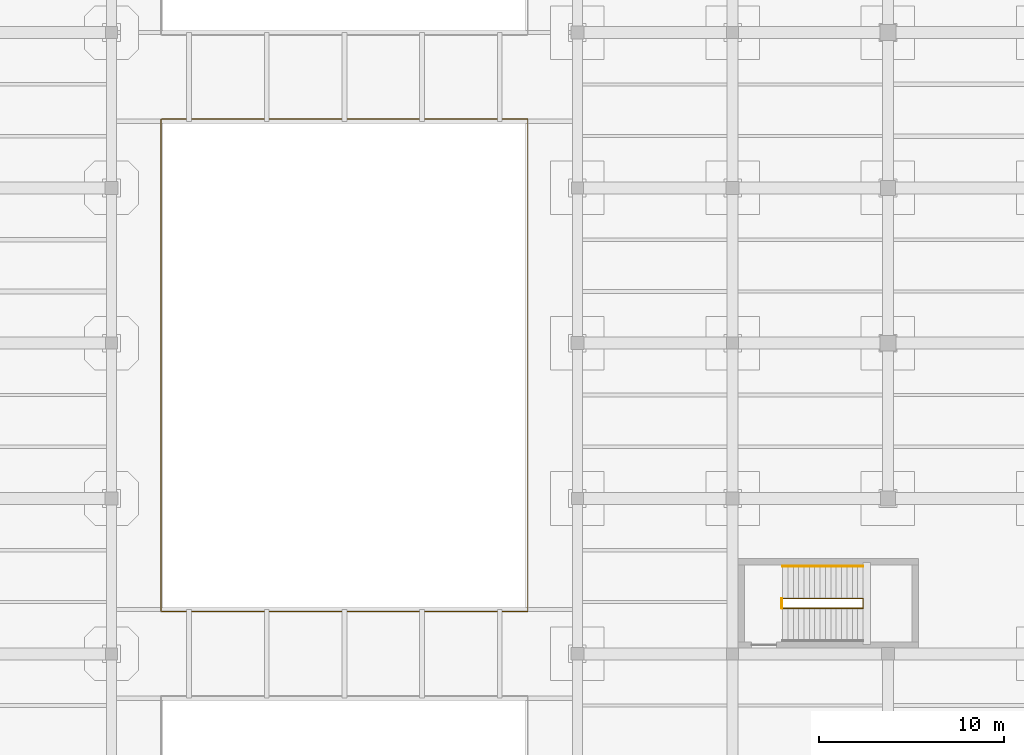
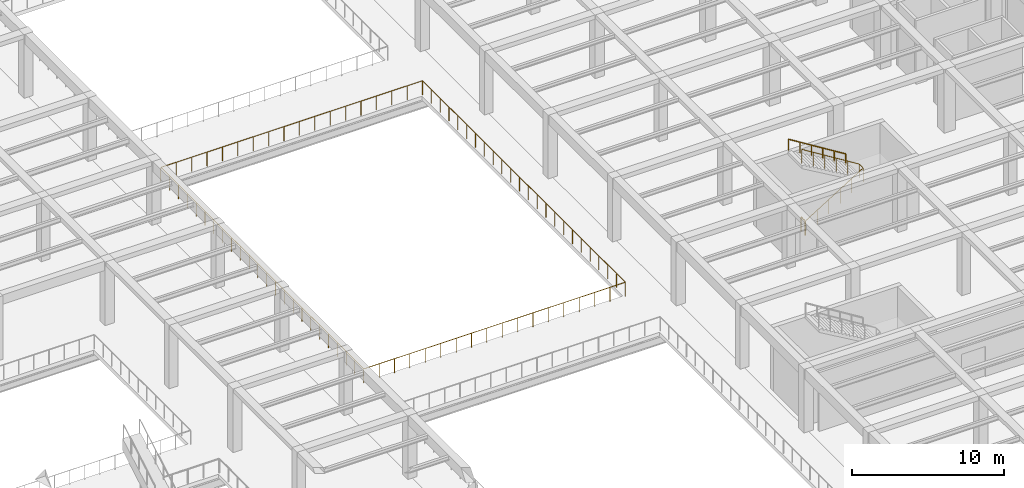
# One storey, part 91 of 96: 4 railings.
"""IFC4 building model written with IfcOpenShell, lengths in metres."""

from ifc_helpers import new_model, si_unit, direction, frame, origin, origin_2d, place, context, subcontext, project, spatial, circle, extrude, material, type_object, element, save


model = new_model("IFC4")

# Units and contexts
model_context = context("Model", 3, precision=1e-05, world=origin(), true_north=direction((0.0, 1.0)))
body_context = subcontext(model_context, "Body", "Model", "MODEL_VIEW")
ifc_project = project(units=[si_unit("LENGTHUNIT", "METRE"), si_unit("AREAUNIT", "SQUARE_METRE"), si_unit("VOLUMEUNIT", "CUBIC_METRE"), si_unit("PLANEANGLEUNIT", "RADIAN"), si_unit("MASSUNIT", "GRAM", prefix="KILO")], contexts=[model_context])

# Site, building, storey
site_placement = place(None, origin())
site = spatial("IfcSite", under=ifc_project, at=site_placement, CompositionType="ELEMENT")
building_placement = place(site_placement, origin())
building = spatial("IfcBuilding", under=site, at=building_placement, Name="Almacenes y Pasaje Nevantli", CompositionType="ELEMENT")
storey_placement = place(building_placement, frame((0.0, 0.0, 6.0)))
storey = spatial("IfcBuildingStorey", under=building, at=storey_placement, Name="L02", CompositionType="ELEMENT", Elevation=6.0)

# Railings
ifc_material_1 = material(Name="Brushed Stainless Steel and Tempered Safety Glass", Category="steel")
railing_type_1 = type_object("IfcRailingType", Name="RL-GUARD-1100", PredefinedType="BALUSTRADE", material=ifc_material_1)
railing_1_placement = place(storey_placement, frame((103.5, 61.260009765625, 0.0)))
element("IfcRailing", 1, at=railing_1_placement, inside=storey, type_object=railing_type_1, Name="L02 Stair ST-13 Inner Well Guard Balustrade", PredefinedType="BALUSTRADE", context=body_context, shape_type="SweptSolid", body=[
    extrude(circle(Radius=0.02392578125, at=origin_2d()), frame((0.025390625, 0.0, 1.1416015625), z_axis=(0.849649743971, 0.0, 0.527347430608), x_axis=(0.0, 1.0, 0.0)), (0.0, 0.0, 1.0), 5.059814453125),
    extrude(circle(Radius=0.02392578125, at=origin_2d()), frame((4.35009765625, 0.030029296875, 3.82568359375), z_axis=(0.0, 1.0, 0.0), x_axis=(-1.0, 0.0, 0.0)), (0.0, 0.0, 1.0), 0.469970703125),
    extrude(circle(Radius=0.02392578125, at=origin_2d()), frame((4.32470703125, 0.530029296875, 3.841552734375), z_axis=(-0.849649743971, 0.0, 0.527347430608), x_axis=(0.0, -1.0, 0.0)), (0.0, 0.0, 1.0), 5.059814453125),
    extrude(circle(Radius=0.02099609375, at=origin_2d()), origin(), (0.0, 0.0, 1.0), 1.096923828125),
    extrude(circle(Radius=0.02099609375, at=origin_2d()), frame((0.8701171875, 0.0, 0.5400390625)), (0.0, 0.0, 1.0), 1.096923828125),
    extrude(circle(Radius=0.02099609375, at=origin_2d()), frame((1.739990234375, 0.0, 1.080078125)), (0.0, 0.0, 1.0), 1.096923828125),
    extrude(circle(Radius=0.02099609375, at=origin_2d()), frame((2.610107421875, 0.0, 1.619873046875)), (0.0, 0.0, 1.0), 1.096923828125),
    extrude(circle(Radius=0.02099609375, at=origin_2d()), frame((3.47998046875, 0.0, 2.159912109375)), (0.0, 0.0, 1.0), 1.096923828125),
    extrude(circle(Radius=0.02099609375, at=origin_2d()), frame((4.35009765625, 0.0, 2.699951171875)), (0.0, 0.0, 1.0), 1.096923828125),
    extrude(circle(Radius=0.02099609375, at=origin_2d()), frame((4.35009765625, 0.530029296875, 2.699951171875)), (0.0, 0.0, 1.0), 1.096923828125),
    extrude(circle(Radius=0.02099609375, at=origin_2d()), frame((3.47998046875, 0.530029296875, 3.239990234375)), (0.0, 0.0, 1.0), 1.096923828125),
    extrude(circle(Radius=0.02099609375, at=origin_2d()), frame((2.610107421875, 0.530029296875, 3.780029296875)), (0.0, 0.0, 1.0), 1.096923828125),
    extrude(circle(Radius=0.02099609375, at=origin_2d()), frame((1.739990234375, 0.530029296875, 4.31982421875)), (0.0, 0.0, 1.0), 1.096923828125),
    extrude(circle(Radius=0.02099609375, at=origin_2d()), frame((0.8701171875, 0.530029296875, 4.85986328125)), (0.0, 0.0, 1.0), 1.096923828125),
    extrude(circle(Radius=0.02099609375, at=origin_2d()), frame((0.0, 0.530029296875, 5.39990234375)), (0.0, 0.0, 1.0), 1.096923828125),
])
railing_2_placement = place(storey_placement, frame((103.4599609375, 61.260009765625, 0.0)))
element("IfcRailing", 2, at=railing_2_placement, inside=storey, type_object=railing_type_1, Name="L02 Stair ST-13 Landing Well Slot Guard", PredefinedType="BALUSTRADE", context=body_context, shape_type="SweptSolid", body=[
    extrude(circle(Radius=0.02392578125, at=origin_2d()), frame((0.0, 0.030029296875, 1.1259765625), z_axis=(0.0, 1.0, 0.0), x_axis=(-1.0, 0.0, 0.0)), (0.0, 0.0, 1.0), 0.469970703125),
    extrude(circle(Radius=0.02099609375, at=origin_2d()), origin(), (0.0, 0.0, 1.0), 1.096923828125),
    extrude(circle(Radius=0.02099609375, at=origin_2d()), frame((0.0, 0.530029296875, 0.0)), (0.0, 0.0, 1.0), 1.096923828125),
])
railing_3_placement = place(storey_placement, frame((69.8798828125, 61.080078125, 0.0)))
element("IfcRailing", 3, at=railing_3_placement, inside=storey, type_object=railing_type_1, Name="L02 Arcade Galleria Void VOID-ARC-3 Guard Balustrade", PredefinedType="BALUSTRADE", context=body_context, shape_type="SweptSolid", body=[
    extrude(circle(Radius=0.02392578125, at=origin_2d()), frame((0.030029296875, 0.0, 1.1259765625), z_axis=(1.0, 0.0, 0.0), x_axis=(0.0, 1.0, 0.0)), (0.0, 0.0, 1.0), 19.780029296875),
    extrude(circle(Radius=0.02392578125, at=origin_2d()), frame((19.840087890625, 0.030029296875, 1.1259765625), z_axis=(0.0, 1.0, 0.0), x_axis=(-1.0, 0.0, 0.0)), (0.0, 0.0, 1.0), 26.579833984375),
    extrude(circle(Radius=0.02392578125, at=origin_2d()), frame((19.81005859375, 26.639892578125, 1.1259765625), z_axis=(-1.0, 0.0, 0.0), x_axis=(0.0, -1.0, 0.0)), (0.0, 0.0, 1.0), 19.780029296875),
    extrude(circle(Radius=0.02392578125, at=origin_2d()), frame((0.0, 26.60986328125, 1.1259765625), z_axis=(0.0, -1.0, 0.0), x_axis=(1.0, 0.0, 0.0)), (0.0, 0.0, 1.0), 26.579833984375),
    extrude(circle(Radius=0.02099609375, at=origin_2d()), origin(), (0.0, 0.0, 1.0), 1.096923828125),
    extrude(circle(Radius=0.02099609375, at=origin_2d()), frame((1.1669921875, 0.0, 0.0)), (0.0, 0.0, 1.0), 1.096923828125),
    extrude(circle(Radius=0.02099609375, at=origin_2d()), frame((2.334228515625, 0.0, 0.0)), (0.0, 0.0, 1.0), 1.096923828125),
    extrude(circle(Radius=0.02099609375, at=origin_2d()), frame((3.501220703125, 0.0, 0.0)), (0.0, 0.0, 1.0), 1.096923828125),
    extrude(circle(Radius=0.02099609375, at=origin_2d()), frame((4.668212890625, 0.0, 0.0)), (0.0, 0.0, 1.0), 1.096923828125),
    extrude(circle(Radius=0.02099609375, at=origin_2d()), frame((5.835205078125, 0.0, 0.0)), (0.0, 0.0, 1.0), 1.096923828125),
    extrude(circle(Radius=0.02099609375, at=origin_2d()), frame((7.00244140625, 0.0, 0.0)), (0.0, 0.0, 1.0), 1.096923828125),
    extrude(circle(Radius=0.02099609375, at=origin_2d()), frame((8.16943359375, 0.0, 0.0)), (0.0, 0.0, 1.0), 1.096923828125),
    extrude(circle(Radius=0.02099609375, at=origin_2d()), frame((9.33642578125, 0.0, 0.0)), (0.0, 0.0, 1.0), 1.096923828125),
    extrude(circle(Radius=0.02099609375, at=origin_2d()), frame((10.503662109375, 0.0, 0.0)), (0.0, 0.0, 1.0), 1.096923828125),
    extrude(circle(Radius=0.02099609375, at=origin_2d()), frame((11.670654296875, 0.0, 0.0)), (0.0, 0.0, 1.0), 1.096923828125),
    extrude(circle(Radius=0.02099609375, at=origin_2d()), frame((12.837646484375, 0.0, 0.0)), (0.0, 0.0, 1.0), 1.096923828125),
    extrude(circle(Radius=0.02099609375, at=origin_2d()), frame((14.0048828125, 0.0, 0.0)), (0.0, 0.0, 1.0), 1.096923828125),
    extrude(circle(Radius=0.02099609375, at=origin_2d()), frame((15.171875, 0.0, 0.0)), (0.0, 0.0, 1.0), 1.096923828125),
    extrude(circle(Radius=0.02099609375, at=origin_2d()), frame((16.3388671875, 0.0, 0.0)), (0.0, 0.0, 1.0), 1.096923828125),
    extrude(circle(Radius=0.02099609375, at=origin_2d()), frame((17.505859375, 0.0, 0.0)), (0.0, 0.0, 1.0), 1.096923828125),
    extrude(circle(Radius=0.02099609375, at=origin_2d()), frame((18.673095703125, 0.0, 0.0)), (0.0, 0.0, 1.0), 1.096923828125),
    extrude(circle(Radius=0.02099609375, at=origin_2d()), frame((19.840087890625, 0.0, 0.0)), (0.0, 0.0, 1.0), 1.096923828125),
    extrude(circle(Radius=0.02099609375, at=origin_2d()), frame((19.840087890625, 1.158203125, 0.0)), (0.0, 0.0, 1.0), 1.096923828125),
    extrude(circle(Radius=0.02099609375, at=origin_2d()), frame((19.840087890625, 2.31640625, 0.0)), (0.0, 0.0, 1.0), 1.096923828125),
    extrude(circle(Radius=0.02099609375, at=origin_2d()), frame((19.840087890625, 3.474853515625, 0.0)), (0.0, 0.0, 1.0), 1.096923828125),
    extrude(circle(Radius=0.02099609375, at=origin_2d()), frame((19.840087890625, 4.633056640625, 0.0)), (0.0, 0.0, 1.0), 1.096923828125),
    extrude(circle(Radius=0.02099609375, at=origin_2d()), frame((19.840087890625, 5.791259765625, 0.0)), (0.0, 0.0, 1.0), 1.096923828125),
    extrude(circle(Radius=0.02099609375, at=origin_2d()), frame((19.840087890625, 6.949462890625, 0.0)), (0.0, 0.0, 1.0), 1.096923828125),
    extrude(circle(Radius=0.02099609375, at=origin_2d()), frame((19.840087890625, 8.10791015625, 0.0)), (0.0, 0.0, 1.0), 1.096923828125),
    extrude(circle(Radius=0.02099609375, at=origin_2d()), frame((19.840087890625, 9.26611328125, 0.0)), (0.0, 0.0, 1.0), 1.096923828125),
    extrude(circle(Radius=0.02099609375, at=origin_2d()), frame((19.840087890625, 10.42431640625, 0.0)), (0.0, 0.0, 1.0), 1.096923828125),
    extrude(circle(Radius=0.02099609375, at=origin_2d()), frame((19.840087890625, 11.58251953125, 0.0)), (0.0, 0.0, 1.0), 1.096923828125),
    extrude(circle(Radius=0.02099609375, at=origin_2d()), frame((19.840087890625, 12.74072265625, 0.0)), (0.0, 0.0, 1.0), 1.096923828125),
    extrude(circle(Radius=0.02099609375, at=origin_2d()), frame((19.840087890625, 13.899169921875, 0.0)), (0.0, 0.0, 1.0), 1.096923828125),
    extrude(circle(Radius=0.02099609375, at=origin_2d()), frame((19.840087890625, 15.057373046875, 0.0)), (0.0, 0.0, 1.0), 1.096923828125),
    extrude(circle(Radius=0.02099609375, at=origin_2d()), frame((19.840087890625, 16.215576171875, 0.0)), (0.0, 0.0, 1.0), 1.096923828125),
    extrude(circle(Radius=0.02099609375, at=origin_2d()), frame((19.840087890625, 17.373779296875, 0.0)), (0.0, 0.0, 1.0), 1.096923828125),
    extrude(circle(Radius=0.02099609375, at=origin_2d()), frame((19.840087890625, 18.531982421875, 0.0)), (0.0, 0.0, 1.0), 1.096923828125),
    extrude(circle(Radius=0.02099609375, at=origin_2d()), frame((19.840087890625, 19.6904296875, 0.0)), (0.0, 0.0, 1.0), 1.096923828125),
    extrude(circle(Radius=0.02099609375, at=origin_2d()), frame((19.840087890625, 20.8486328125, 0.0)), (0.0, 0.0, 1.0), 1.096923828125),
    extrude(circle(Radius=0.02099609375, at=origin_2d()), frame((19.840087890625, 22.0068359375, 0.0)), (0.0, 0.0, 1.0), 1.096923828125),
    extrude(circle(Radius=0.02099609375, at=origin_2d()), frame((19.840087890625, 23.1650390625, 0.0)), (0.0, 0.0, 1.0), 1.096923828125),
    extrude(circle(Radius=0.02099609375, at=origin_2d()), frame((19.840087890625, 24.323486328125, 0.0)), (0.0, 0.0, 1.0), 1.096923828125),
    extrude(circle(Radius=0.02099609375, at=origin_2d()), frame((19.840087890625, 25.481689453125, 0.0)), (0.0, 0.0, 1.0), 1.096923828125),
    extrude(circle(Radius=0.02099609375, at=origin_2d()), frame((19.840087890625, 26.639892578125, 0.0)), (0.0, 0.0, 1.0), 1.096923828125),
    extrude(circle(Radius=0.02099609375, at=origin_2d()), frame((18.673095703125, 26.639892578125, 0.0)), (0.0, 0.0, 1.0), 1.096923828125),
    extrude(circle(Radius=0.02099609375, at=origin_2d()), frame((17.505859375, 26.639892578125, 0.0)), (0.0, 0.0, 1.0), 1.096923828125),
    extrude(circle(Radius=0.02099609375, at=origin_2d()), frame((16.3388671875, 26.639892578125, 0.0)), (0.0, 0.0, 1.0), 1.096923828125),
    extrude(circle(Radius=0.02099609375, at=origin_2d()), frame((15.171875, 26.639892578125, 0.0)), (0.0, 0.0, 1.0), 1.096923828125),
    extrude(circle(Radius=0.02099609375, at=origin_2d()), frame((14.0048828125, 26.639892578125, 0.0)), (0.0, 0.0, 1.0), 1.096923828125),
    extrude(circle(Radius=0.02099609375, at=origin_2d()), frame((12.837646484375, 26.639892578125, 0.0)), (0.0, 0.0, 1.0), 1.096923828125),
    extrude(circle(Radius=0.02099609375, at=origin_2d()), frame((11.670654296875, 26.639892578125, 0.0)), (0.0, 0.0, 1.0), 1.096923828125),
    extrude(circle(Radius=0.02099609375, at=origin_2d()), frame((10.503662109375, 26.639892578125, 0.0)), (0.0, 0.0, 1.0), 1.096923828125),
    extrude(circle(Radius=0.02099609375, at=origin_2d()), frame((9.33642578125, 26.639892578125, 0.0)), (0.0, 0.0, 1.0), 1.096923828125),
    extrude(circle(Radius=0.02099609375, at=origin_2d()), frame((8.16943359375, 26.639892578125, 0.0)), (0.0, 0.0, 1.0), 1.096923828125),
    extrude(circle(Radius=0.02099609375, at=origin_2d()), frame((7.00244140625, 26.639892578125, 0.0)), (0.0, 0.0, 1.0), 1.096923828125),
    extrude(circle(Radius=0.02099609375, at=origin_2d()), frame((5.835205078125, 26.639892578125, 0.0)), (0.0, 0.0, 1.0), 1.096923828125),
    extrude(circle(Radius=0.02099609375, at=origin_2d()), frame((4.668212890625, 26.639892578125, 0.0)), (0.0, 0.0, 1.0), 1.096923828125),
    extrude(circle(Radius=0.02099609375, at=origin_2d()), frame((3.501220703125, 26.639892578125, 0.0)), (0.0, 0.0, 1.0), 1.096923828125),
    extrude(circle(Radius=0.02099609375, at=origin_2d()), frame((2.334228515625, 26.639892578125, 0.0)), (0.0, 0.0, 1.0), 1.096923828125),
    extrude(circle(Radius=0.02099609375, at=origin_2d()), frame((1.1669921875, 26.639892578125, 0.0)), (0.0, 0.0, 1.0), 1.096923828125),
    extrude(circle(Radius=0.02099609375, at=origin_2d()), frame((0.0, 26.639892578125, 0.0)), (0.0, 0.0, 1.0), 1.096923828125),
    extrude(circle(Radius=0.02099609375, at=origin_2d()), frame((0.0, 25.481689453125, 0.0)), (0.0, 0.0, 1.0), 1.096923828125),
    extrude(circle(Radius=0.02099609375, at=origin_2d()), frame((0.0, 24.323486328125, 0.0)), (0.0, 0.0, 1.0), 1.096923828125),
    extrude(circle(Radius=0.02099609375, at=origin_2d()), frame((0.0, 23.1650390625, 0.0)), (0.0, 0.0, 1.0), 1.096923828125),
    extrude(circle(Radius=0.02099609375, at=origin_2d()), frame((0.0, 22.0068359375, 0.0)), (0.0, 0.0, 1.0), 1.096923828125),
    extrude(circle(Radius=0.02099609375, at=origin_2d()), frame((0.0, 20.8486328125, 0.0)), (0.0, 0.0, 1.0), 1.096923828125),
    extrude(circle(Radius=0.02099609375, at=origin_2d()), frame((0.0, 19.6904296875, 0.0)), (0.0, 0.0, 1.0), 1.096923828125),
    extrude(circle(Radius=0.02099609375, at=origin_2d()), frame((0.0, 18.531982421875, 0.0)), (0.0, 0.0, 1.0), 1.096923828125),
    extrude(circle(Radius=0.02099609375, at=origin_2d()), frame((0.0, 17.373779296875, 0.0)), (0.0, 0.0, 1.0), 1.096923828125),
    extrude(circle(Radius=0.02099609375, at=origin_2d()), frame((0.0, 16.215576171875, 0.0)), (0.0, 0.0, 1.0), 1.096923828125),
    extrude(circle(Radius=0.02099609375, at=origin_2d()), frame((0.0, 15.057373046875, 0.0)), (0.0, 0.0, 1.0), 1.096923828125),
    extrude(circle(Radius=0.02099609375, at=origin_2d()), frame((0.0, 13.899169921875, 0.0)), (0.0, 0.0, 1.0), 1.096923828125),
    extrude(circle(Radius=0.02099609375, at=origin_2d()), frame((0.0, 12.74072265625, 0.0)), (0.0, 0.0, 1.0), 1.096923828125),
    extrude(circle(Radius=0.02099609375, at=origin_2d()), frame((0.0, 11.58251953125, 0.0)), (0.0, 0.0, 1.0), 1.096923828125),
    extrude(circle(Radius=0.02099609375, at=origin_2d()), frame((0.0, 10.42431640625, 0.0)), (0.0, 0.0, 1.0), 1.096923828125),
    extrude(circle(Radius=0.02099609375, at=origin_2d()), frame((0.0, 9.26611328125, 0.0)), (0.0, 0.0, 1.0), 1.096923828125),
    extrude(circle(Radius=0.02099609375, at=origin_2d()), frame((0.0, 8.10791015625, 0.0)), (0.0, 0.0, 1.0), 1.096923828125),
    extrude(circle(Radius=0.02099609375, at=origin_2d()), frame((0.0, 6.949462890625, 0.0)), (0.0, 0.0, 1.0), 1.096923828125),
    extrude(circle(Radius=0.02099609375, at=origin_2d()), frame((0.0, 5.791259765625, 0.0)), (0.0, 0.0, 1.0), 1.096923828125),
    extrude(circle(Radius=0.02099609375, at=origin_2d()), frame((0.0, 4.633056640625, 0.0)), (0.0, 0.0, 1.0), 1.096923828125),
    extrude(circle(Radius=0.02099609375, at=origin_2d()), frame((0.0, 3.474853515625, 0.0)), (0.0, 0.0, 1.0), 1.096923828125),
    extrude(circle(Radius=0.02099609375, at=origin_2d()), frame((0.0, 2.31640625, 0.0)), (0.0, 0.0, 1.0), 1.096923828125),
    extrude(circle(Radius=0.02099609375, at=origin_2d()), frame((0.0, 1.158203125, 0.0)), (0.0, 0.0, 1.0), 1.096923828125),
])
ifc_material_2 = material(Name="Brushed Stainless Steel Tube", Category="steel")
railing_type_2 = type_object("IfcRailingType", Name="RL-HANDRAIL-900", PredefinedType="HANDRAIL", material=ifc_material_2)
railing_4_placement = place(storey_placement, frame((107.85009765625, 63.5400390625, 2.699951171875)))
element("IfcRailing", 4, at=railing_4_placement, inside=storey, type_object=railing_type_2, Name="L02 Stair ST-13 Upper Flight Handrail", PredefinedType="HANDRAIL", context=body_context, shape_type="SweptSolid", body=[
    extrude(circle(Radius=0.02392578125, at=origin_2d()), frame((-0.025390625, 0.0, 0.8916015625), z_axis=(-0.849649743971, 0.0, 0.527347430608), x_axis=(0.0, -1.0, 0.0)), (0.0, 0.0, 1.0), 5.059814453125),
    extrude(circle(Radius=0.02099609375, at=origin_2d()), origin(), (0.0, 0.0, 1.0), 0.846923828125),
    extrude(circle(Radius=0.02099609375, at=origin_2d()), frame((-0.8701171875, 0.0, 0.5400390625)), (0.0, 0.0, 1.0), 0.846923828125),
    extrude(circle(Radius=0.02099609375, at=origin_2d()), frame((-1.739990234375, 0.0, 1.080078125)), (0.0, 0.0, 1.0), 0.846923828125),
    extrude(circle(Radius=0.02099609375, at=origin_2d()), frame((-2.610107421875, 0.0, 1.619873046875)), (0.0, 0.0, 1.0), 0.846923828125),
    extrude(circle(Radius=0.02099609375, at=origin_2d()), frame((-3.47998046875, 0.0, 2.159912109375)), (0.0, 0.0, 1.0), 0.846923828125),
    extrude(circle(Radius=0.02099609375, at=origin_2d()), frame((-4.35009765625, 0.0, 2.699951171875)), (0.0, 0.0, 1.0), 0.846923828125),
])

save(model, "model.ifc")
